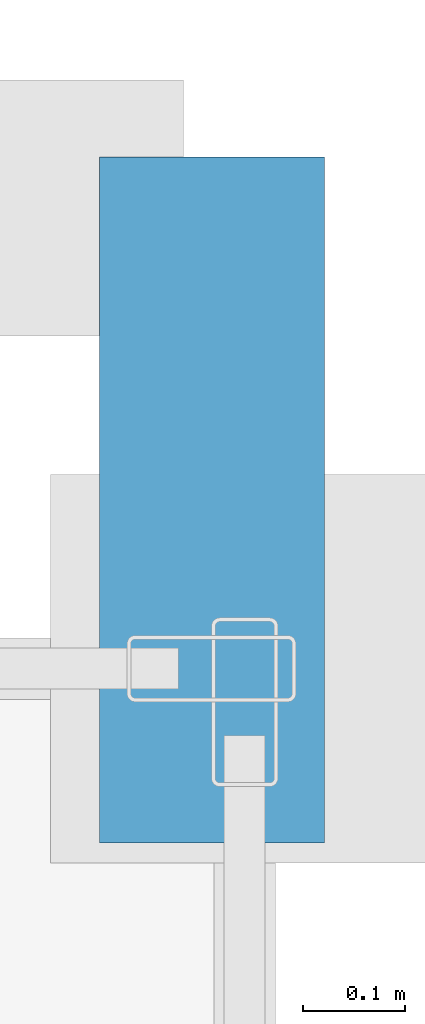
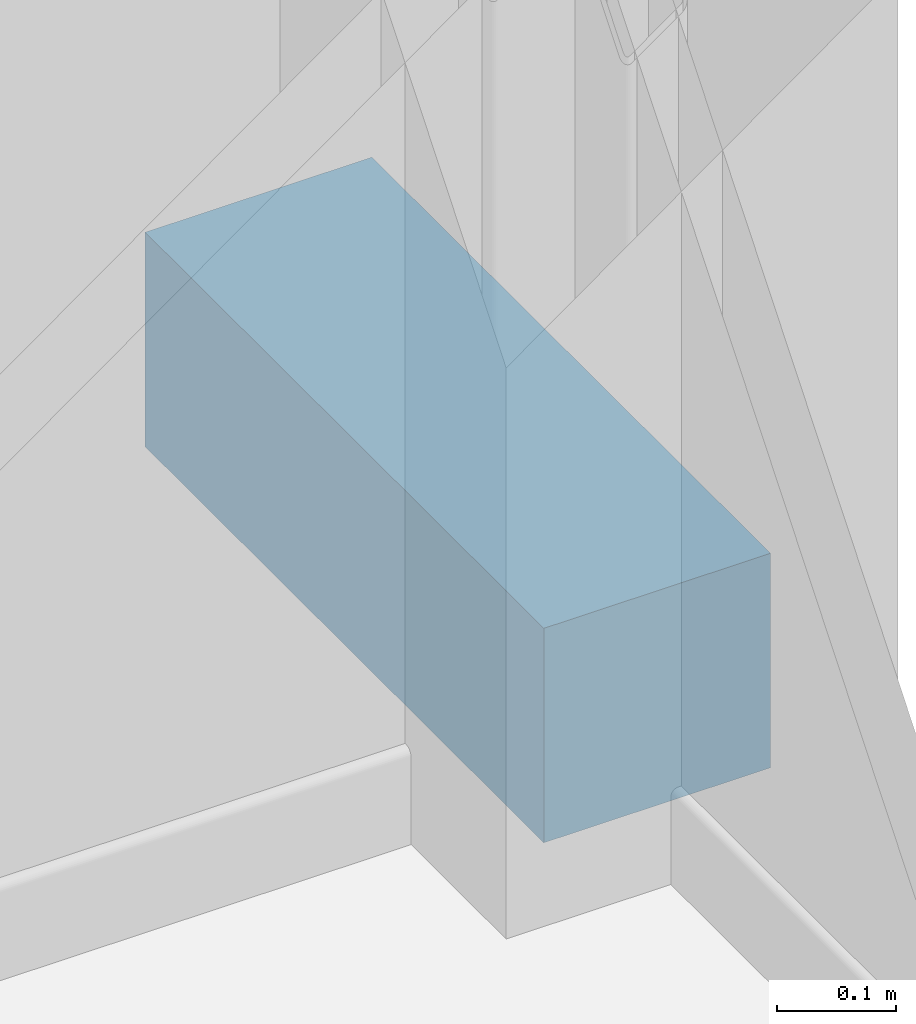
# One storey, part 13 of 15: 1 discrete accessory.
"""IFC4 building model written with IfcOpenShell, lengths in metres."""

from ifc_helpers import new_model, si_unit, direction, frame, origin, origin_2d, place, context, subcontext, project, spatial, rectangle, extrude, material, type_object, element, save


model = new_model("IFC4")

# Units and contexts
model_context = context("Model", 3, precision=1e-05, world=origin(), true_north=direction((0.0, 1.0)))
body_context = subcontext(model_context, "Body", "Model", "MODEL_VIEW")
ifc_project = project(units=[si_unit("LENGTHUNIT", "METRE"), si_unit("AREAUNIT", "SQUARE_METRE"), si_unit("VOLUMEUNIT", "CUBIC_METRE"), si_unit("PLANEANGLEUNIT", "RADIAN"), si_unit("MASSUNIT", "GRAM", prefix="KILO")], contexts=[model_context])

# Site, building, storey
site_placement = place(None, origin())
site = spatial("IfcSite", under=ifc_project, at=site_placement, CompositionType="ELEMENT")
building_placement = place(site_placement, origin())
building = spatial("IfcBuilding", under=site, at=building_placement, Name="An Khanh Terracotta Commons", CompositionType="ELEMENT")
storey_placement = place(building_placement, frame((0.0, 0.0, 208.5)))
storey = spatial("IfcBuildingStorey", under=building, at=storey_placement, Name="L54", CompositionType="ELEMENT", Elevation=208.5)

# Discrete accessory
ifc_material = material(Name="Stainless Steel Grade 316L", Category="steel")
discrete_accessory_type = type_object("IfcDiscreteAccessoryType", Name="Stainless Outrigger Facade Bracket", PredefinedType="BRACKET", material=ifc_material)
discrete_accessory_placement = place(storey_placement, frame((70.718017578125, 28.764892578125, 0.06982421875), z_axis=(0.0, 0.0, 1.0), x_axis=(-1.0, 0.0, 0.0)))
element("IfcDiscreteAccessory", 1, at=discrete_accessory_placement, inside=storey, type_object=discrete_accessory_type, Name="L54 Terracotta Screen Outrigger Bracket 1", PredefinedType="BRACKET", context=body_context, shape_type="SweptSolid", body=[
    extrude(rectangle(XDim=0.219970703125, YDim=0.669921875, at=origin_2d()), origin(), (0.0, 0.0, 1.0), 0.219970703125),
])

save(model, "model.ifc")
